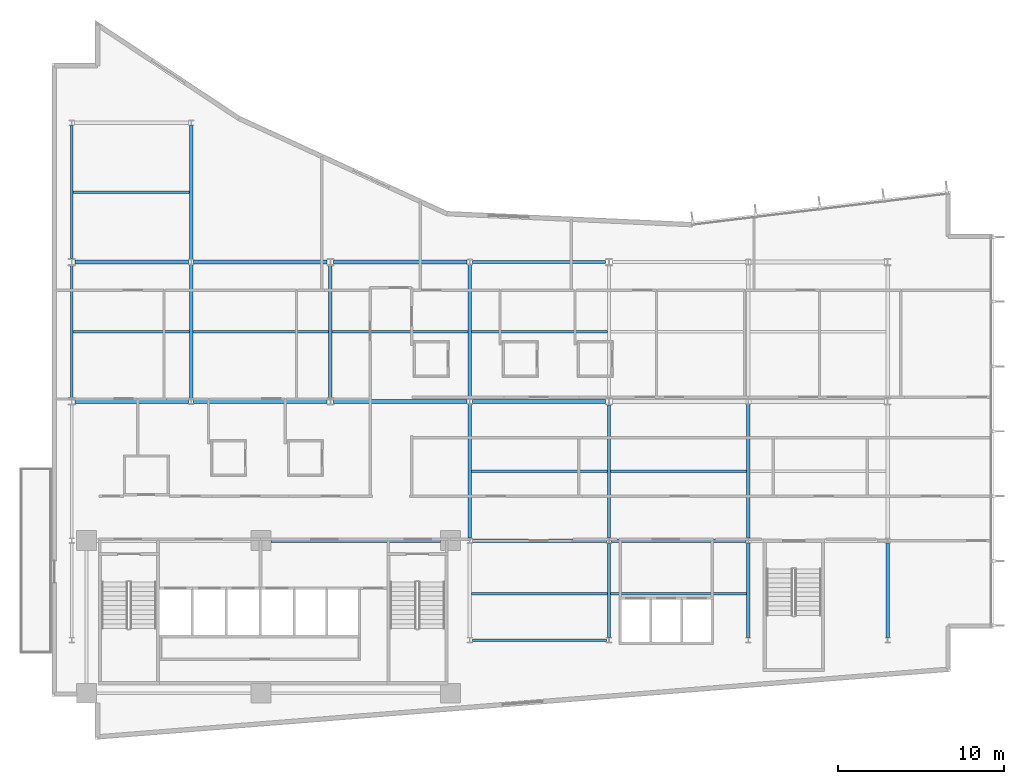
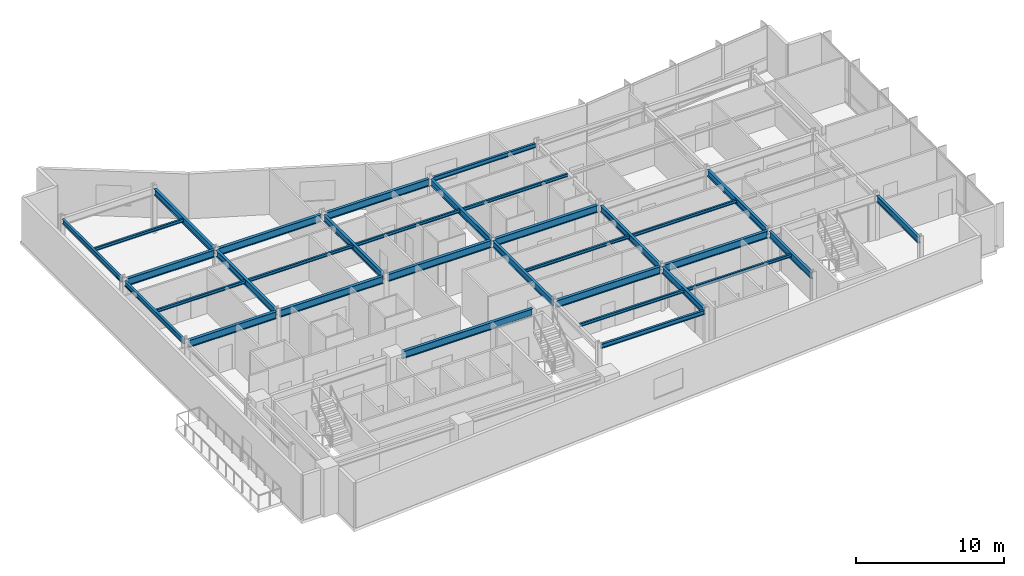
# One storey, part 4 of 18: 33 beams.
"""IFC4 building model written with IfcOpenShell, lengths in metres."""

import ifcopenshell
import ifcopenshell.guid

model = None  # the IFC model being written
_history = None  # IfcOwnerHistory: only IFC2X3 demands one
_inside = {}  # id of a spatial element -> (the spatial element, [elements in it])
_under = {}  # id of a project, library or spatial element -> (it, [spatial elements below it])
_declared = {}  # id of a project -> (the project, [libraries it declares])
_typed = {}  # id of a type object -> (the type object, [elements of that type])
_made_of = {}  # id of a material, layer set ... -> (it, [elements and type objects made of it])


def new_model(schema):
    """Start an empty IFC model of exactly this schema.

    Asked for "IFC4X3", IfcOpenShell would pick the latest addendum, in which some entities
    have other attributes; the version numbers below select the first issue.
    IFC2X3 requires an IfcOwnerHistory on every rooted entity: one is made here for all.
    """
    global model, _history
    if schema == "IFC4X3":
        model = ifcopenshell.file(schema_version=(4, 3, 0, 0))
    else:
        model = ifcopenshell.file(schema=schema)
    _inside.clear()
    _under.clear()
    _declared.clear()
    _typed.clear()
    _made_of.clear()
    _history = None
    if model.schema == "IFC2X3":
        org = make("IfcOrganization", Name="unknown")
        user = make(
            "IfcPersonAndOrganization",
            ThePerson=make("IfcPerson", FamilyName="unknown"),
            TheOrganization=org,
        )
        app = make(
            "IfcApplication",
            ApplicationDeveloper=org,
            Version="unknown",
            ApplicationFullName="unknown",
            ApplicationIdentifier="unknown",
        )
        _history = make(
            "IfcOwnerHistory",
            OwningUser=user,
            OwningApplication=app,
            ChangeAction="ADDED",
            CreationDate=0,
        )
    return model


def make(cls, **values):
    """One entity of the class cls with the attributes given. An attribute that is None is left unset."""
    return model.create_entity(
        cls, **{name: value for name, value in values.items() if value is not None}
    )


def rooted(cls, **values):
    """An entity with a GlobalId (a new one), such as an element, a storey or a relation."""
    return make(cls, GlobalId=ifcopenshell.guid.new(), OwnerHistory=_history, **values)


def si_unit(unit_type, name, prefix=None):
    """IfcSIUnit, for example si_unit("LENGTHUNIT", "METRE", prefix="MILLI")."""
    return make("IfcSIUnit", UnitType=unit_type, Prefix=prefix, Name=name)


def assignment(units):
    """IfcUnitAssignment: the units of a project."""
    return None if units is None else make("IfcUnitAssignment", Units=units)


def point(xyz):
    """IfcCartesianPoint."""
    return None if xyz is None else make("IfcCartesianPoint", Coordinates=xyz)


def direction(xyz):
    """IfcDirection."""
    return None if xyz is None else make("IfcDirection", DirectionRatios=xyz)


def frame(location, z_axis=None, x_axis=None):
    """IfcAxis2Placement3D, a coordinate frame: its origin and axes. An axis left out is left unset."""
    return make(
        "IfcAxis2Placement3D",
        Location=point(location),
        Axis=direction(z_axis),
        RefDirection=direction(x_axis),
    )


def frame_2d(location, x_axis=None):
    """IfcAxis2Placement2D, a coordinate frame in the plane: its origin and x axis."""
    return make(
        "IfcAxis2Placement2D", Location=point(location), RefDirection=direction(x_axis)
    )


def origin():
    """The frame at (0, 0, 0) with its axes left unset."""
    return frame((0.0, 0.0, 0.0))


def origin_2d():
    """The frame at (0, 0) in the plane with its x axis left unset."""
    return frame_2d((0.0, 0.0))


def place(relative_to, where):
    """IfcLocalPlacement: puts the frame where relative to a parent placement (None: the world)."""
    return make(
        "IfcLocalPlacement", PlacementRelTo=relative_to, RelativePlacement=where
    )


def context(
    kind, dimensions, precision=None, world=None, true_north=None, identifier=None
):
    """IfcGeometricRepresentationContext, for example the 3D "Model" context."""
    return make(
        "IfcGeometricRepresentationContext",
        ContextIdentifier=identifier,
        ContextType=kind,
        CoordinateSpaceDimension=dimensions,
        Precision=precision,
        WorldCoordinateSystem=world,
        TrueNorth=true_north,
    )


def subcontext(parent, identifier, kind, view, scale=None):
    """IfcGeometricRepresentationSubContext, for example "Body" below "Model"."""
    return make(
        "IfcGeometricRepresentationSubContext",
        ContextIdentifier=identifier,
        ContextType=kind,
        ParentContext=parent,
        TargetScale=scale,
        TargetView=view,
    )


def project(units=None, contexts=None):
    """IfcProject with its units and contexts."""
    return rooted(
        "IfcProject",
        Name="project",
        RepresentationContexts=contexts,
        UnitsInContext=assignment(units),
    )


def spatial(cls, under=None, at=None, **own):
    """A site, building, storey or space (cls), placed at a placement, below another one or the project."""
    s = rooted(cls, ObjectPlacement=at, **own)
    if under is not None:
        _under.setdefault(under.id(), (under, []))[1].append(s)
    return s


def profile(cls, at=None, kind="AREA", **sizes):
    """A parametric profile (cls). Its sizes go by their IFC names, for example OverallWidth=200.0."""
    return make(cls, ProfileType=kind, Position=at, **sizes)


def i_section(**sizes):
    """IfcIShapeProfileDef."""
    return profile("IfcIShapeProfileDef", **sizes)


def extrude(swept, where, along, depth):
    """IfcExtrudedAreaSolid: the profile swept, set in the frame where, extruded along a direction by depth."""
    return make(
        "IfcExtrudedAreaSolid",
        SweptArea=swept,
        Position=where,
        ExtrudedDirection=direction(along),
        Depth=depth,
    )


def shape(context_of_items, identifier, shape_type, items):
    """IfcShapeRepresentation: the items that make up one representation, for example the "Body"."""
    return make(
        "IfcShapeRepresentation",
        ContextOfItems=context_of_items,
        RepresentationIdentifier=identifier,
        RepresentationType=shape_type,
        Items=items,
    )


def material(Name=None, Category=None):
    """IfcMaterial."""
    return make("IfcMaterial", Name=Name, Category=Category)


def material_profile(
    of_material, cross_section, Name=None, Category=None, Priority=None
):
    """IfcMaterialProfile: a cross section and its material."""
    return make(
        "IfcMaterialProfile",
        Name=Name,
        Material=of_material,
        Profile=cross_section,
        Priority=Priority,
        Category=Category,
    )


def profile_set(profiles, Name=None, composite=None):
    """IfcMaterialProfileSet."""
    return make(
        "IfcMaterialProfileSet",
        Name=Name,
        MaterialProfiles=profiles,
        CompositeProfile=composite,
    )


def made_of(thing, what):
    """Note that an element or type object is made of a material, layer set ...; save() writes the relation."""
    if what is not None:
        _made_of.setdefault(what.id(), (what, []))[1].append(thing)
    return thing


def type_object(cls, material=None, **own):
    """A type object (cls), such as IfcWallType, which elements share."""
    return made_of(rooted(cls, **own), material)


def element(
    cls,
    number,
    at=None,
    inside=None,
    cuts=None,
    type_object=None,
    material=None,
    context=None,
    identifier="Body",
    shape_type=None,
    held_by="IfcProductDefinitionShape",
    body=None,
    shapes=None,
    **own,
):
    """One element of the class cls, such as IfcWall. Its Tag is "e" and its number.

    at: its placement. inside: the storey or other place that contains it. cuts: it is an
    opening in that element (IfcRelVoidsElement). A single representation is given by context,
    identifier, shape_type and body (its items); several are given by shapes. held_by: the class
    of the entity that holds the representations. save() writes the other relations.
    """
    e = rooted(cls, Tag="e%d" % number, ObjectPlacement=at, **own)
    if body is not None:
        shapes = [shape(context, identifier, shape_type, body)]
    if shapes is not None:
        e.Representation = make(held_by, Representations=shapes)
    if inside is not None:
        _inside.setdefault(inside.id(), (inside, []))[1].append(e)
    if cuts is not None:
        rooted(
            "IfcRelVoidsElement", RelatingBuildingElement=cuts, RelatedOpeningElement=e
        )
    if type_object is not None:
        _typed.setdefault(type_object.id(), (type_object, []))[1].append(e)
    return made_of(e, material)


def aggregate(whole, parts):
    """IfcRelAggregates: a whole, such as a stair, and the parts it consists of."""
    return rooted("IfcRelAggregates", RelatingObject=whole, RelatedObjects=parts)


def save(model, path):
    """Write the relations noted so far, then the file.

    IfcRelAggregates (storeys below a building ...), IfcRelContainedInSpatialStructure (elements
    in a storey), IfcRelDefinesByType, IfcRelAssociatesMaterial and IfcRelDeclares: one each for
    every whole, place, type object, material and project.
    """
    for whole, parts in _under.values():
        aggregate(whole, parts)
    for where, things in _inside.values():
        rooted(
            "IfcRelContainedInSpatialStructure",
            RelatedElements=things,
            RelatingStructure=where,
        )
    for kind, things in _typed.values():
        rooted("IfcRelDefinesByType", RelatedObjects=things, RelatingType=kind)
    for what, things in _made_of.values():
        rooted("IfcRelAssociatesMaterial", RelatedObjects=things, RelatingMaterial=what)
    for by, libraries in _declared.values():
        rooted("IfcRelDeclares", RelatingContext=by, RelatedDefinitions=libraries)
    model.write(path)


model = new_model("IFC4")

# Units and contexts
model_context = context("Model", 3, precision=1e-05, world=origin(), true_north=direction((0.0, 1.0)))
body_context = subcontext(model_context, "Body", "Model", "MODEL_VIEW")
ifc_project = project(units=[si_unit("LENGTHUNIT", "METRE"), si_unit("AREAUNIT", "SQUARE_METRE"), si_unit("VOLUMEUNIT", "CUBIC_METRE"), si_unit("PLANEANGLEUNIT", "RADIAN"), si_unit("MASSUNIT", "GRAM", prefix="KILO")], contexts=[model_context])

# Site, building, storey
site_placement = place(None, origin())
site = spatial("IfcSite", under=ifc_project, at=site_placement, CompositionType="ELEMENT")
building_placement = place(site_placement, origin())
building = spatial("IfcBuilding", under=site, at=building_placement, Name="Varnakote Quay Hospital", CompositionType="ELEMENT")
storey_placement = place(building_placement, frame((0.0, 0.0, 158.64990234375)))
storey = spatial("IfcBuildingStorey", under=building, at=storey_placement, Name="L39", CompositionType="ELEMENT", Elevation=158.64990234375)

# Beams
ifc_material_1 = material(Name="Structural steel AS/NZS 3679.1 Grade 350 L0 (fy 340 MPa)", Category="steel")
ifc_material_profile_1 = material_profile(ifc_material_1, i_section(OverallWidth=0.208984375, OverallDepth=0.532958984375, WebThickness=0.01025390625, FlangeThickness=0.015625, FilletRadius=0.013916015625, at=origin_2d()), Name="530UB92.4")
ifc_profile_set_1 = profile_set([ifc_material_profile_1], Name="Structural steel AS/NZS 3679.1 Grade 350 L0 (fy 340 MPa)")
beam_type_1 = type_object("IfcBeamType", Name="BM-STL-530UB92-4", PredefinedType="BEAM", material=ifc_profile_set_1)
for number, where, z_axis, x_axis, name in (
    (1, (8.39990234375, 20.5576171875, 3.443603515625), (0.0, 1.0, 0.0), (-1.0, 0.0, 0.0), "L39 Primary Tie Beam"),
    (2, (8.39990234375, 28.95751953125, 3.443603515625), (0.0, 1.0, 0.0), (-1.0, 0.0, 0.0), "L39 Primary Tie Beam"),
):
    element("IfcBeam", number, at=place(storey_placement, frame(where, z_axis=z_axis, x_axis=x_axis)), inside=storey, type_object=beam_type_1, Name=name, PredefinedType="BEAM", context=body_context, shape_type="SweptSolid", body=[
        extrude(i_section(OverallWidth=0.208984375, OverallDepth=0.532958984375, WebThickness=0.01025390625, FlangeThickness=0.015625, FilletRadius=0.013916015625, at=origin_2d()), origin(), (0.0, 0.0, 1.0), 8.0849609375),
    ])
beam_1_placement = place(storey_placement, frame((16.800048828125, 20.610107421875, 3.443603515625), z_axis=(0.0, 1.0, 0.0), x_axis=(-1.0, 0.0, 0.0)))
element("IfcBeam", 3, at=beam_1_placement, inside=storey, type_object=beam_type_1, Name="L39 Primary Tie Beam", PredefinedType="BEAM", context=body_context, shape_type="SweptSolid", body=[
    extrude(i_section(OverallWidth=0.208984375, OverallDepth=0.532958984375, WebThickness=0.01025390625, FlangeThickness=0.015625, FilletRadius=0.013916015625, at=origin_2d()), origin(), (0.0, 0.0, 1.0), 7.97998046875),
])
for number, where, z_axis, x_axis, name in (
    (4, (25.199951171875, 12.157470703125, 3.443603515625), (0.0, 1.0, 0.0), (-1.0, 0.0, 0.0), "L39 Primary Tie Beam"),
    (5, (25.199951171875, 20.5576171875, 3.443603515625), (0.0, 1.0, 0.0), (-1.0, 0.0, 0.0), "L39 Primary Tie Beam"),
):
    element("IfcBeam", number, at=place(storey_placement, frame(where, z_axis=z_axis, x_axis=x_axis)), inside=storey, type_object=beam_type_1, Name=name, PredefinedType="BEAM", context=body_context, shape_type="SweptSolid", body=[
        extrude(i_section(OverallWidth=0.208984375, OverallDepth=0.532958984375, WebThickness=0.01025390625, FlangeThickness=0.015625, FilletRadius=0.013916015625, at=origin_2d()), origin(), (0.0, 0.0, 1.0), 8.0849609375),
    ])
beam_2_placement = place(storey_placement, frame((33.60009765625, 6.157470703125, 3.443603515625), z_axis=(0.0, 1.0, 0.0), x_axis=(-1.0, 0.0, 0.0)))
element("IfcBeam", 6, at=beam_2_placement, inside=storey, type_object=beam_type_1, Name="L39 Primary Tie Beam", PredefinedType="BEAM", context=body_context, shape_type="SweptSolid", body=[
    extrude(i_section(OverallWidth=0.208984375, OverallDepth=0.532958984375, WebThickness=0.01025390625, FlangeThickness=0.015625, FilletRadius=0.013916015625, at=origin_2d()), origin(), (0.0, 0.0, 1.0), 5.68505859375),
])
beam_3_placement = place(storey_placement, frame((33.60009765625, 12.157470703125, 3.443603515625), z_axis=(0.0, 1.0, 0.0), x_axis=(-1.0, 0.0, 0.0)))
element("IfcBeam", 7, at=beam_3_placement, inside=storey, type_object=beam_type_1, Name="L39 Primary Tie Beam", PredefinedType="BEAM", context=body_context, shape_type="SweptSolid", body=[
    extrude(i_section(OverallWidth=0.208984375, OverallDepth=0.532958984375, WebThickness=0.01025390625, FlangeThickness=0.015625, FilletRadius=0.013916015625, at=origin_2d()), origin(), (0.0, 0.0, 1.0), 8.032470703125),
])
beam_4_placement = place(storey_placement, frame((42.0, 6.157470703125, 3.443603515625), z_axis=(0.0, 1.0, 0.0), x_axis=(-1.0, 0.0, 0.0)))
element("IfcBeam", 8, at=beam_4_placement, inside=storey, type_object=beam_type_1, Name="L39 Primary Tie Beam", PredefinedType="BEAM", context=body_context, shape_type="SweptSolid", body=[
    extrude(i_section(OverallWidth=0.208984375, OverallDepth=0.532958984375, WebThickness=0.01025390625, FlangeThickness=0.015625, FilletRadius=0.013916015625, at=origin_2d()), origin(), (0.0, 0.0, 1.0), 5.68505859375),
])
beam_5_placement = place(storey_placement, frame((42.0, 12.157470703125, 3.443603515625), z_axis=(0.0, 1.0, 0.0), x_axis=(-1.0, 0.0, 0.0)))
element("IfcBeam", 9, at=beam_5_placement, inside=storey, type_object=beam_type_1, Name="L39 Primary Tie Beam", PredefinedType="BEAM", context=body_context, shape_type="SweptSolid", body=[
    extrude(i_section(OverallWidth=0.208984375, OverallDepth=0.532958984375, WebThickness=0.01025390625, FlangeThickness=0.015625, FilletRadius=0.013916015625, at=origin_2d()), origin(), (0.0, 0.0, 1.0), 8.0849609375),
])
beam_6_placement = place(storey_placement, frame((50.39990234375, 6.157470703125, 3.443603515625), z_axis=(0.0, 1.0, 0.0), x_axis=(-1.0, 0.0, 0.0)))
element("IfcBeam", 10, at=beam_6_placement, inside=storey, type_object=beam_type_1, Name="L39 Primary Tie Beam", PredefinedType="BEAM", context=body_context, shape_type="SweptSolid", body=[
    extrude(i_section(OverallWidth=0.208984375, OverallDepth=0.532958984375, WebThickness=0.01025390625, FlangeThickness=0.015625, FilletRadius=0.013916015625, at=origin_2d()), origin(), (0.0, 0.0, 1.0), 5.68505859375),
])
ifc_material_2 = material(Name="Structural steel AS/NZS 3679.1 Grade 350 L0 (fy 340 MPa)", Category="steel")
ifc_material_profile_2 = material_profile(ifc_material_2, i_section(OverallWidth=0.22802734375, OverallDepth=0.60205078125, WebThickness=0.010498046875, FlangeThickness=0.014892578125, FilletRadius=0.013916015625, at=origin_2d()), Name="610UB101")
ifc_profile_set_2 = profile_set([ifc_material_profile_2], Name="Structural steel AS/NZS 3679.1 Grade 350 L0 (fy 340 MPa)")
beam_type_2 = type_object("IfcBeamType", Name="BM-STL-610UB101", PredefinedType="BEAM", material=ifc_profile_set_2)
beam_7_placement = place(storey_placement, frame((13.219970703125, 12.0, 3.4091796875), z_axis=(1.0, 0.0, 0.0), x_axis=(0.0, 1.0, 0.0)))
element("IfcBeam", 11, at=beam_7_placement, inside=storey, type_object=beam_type_2, Name="L39 Primary Floor Beam", PredefinedType="BEAM", context=body_context, shape_type="SweptSolid", body=[
    extrude(i_section(OverallWidth=0.22802734375, OverallDepth=0.60205078125, WebThickness=0.010498046875, FlangeThickness=0.014892578125, FilletRadius=0.013916015625, at=origin_2d()), origin(), (0.0, 0.0, 1.0), 10.22998046875),
])
for number, where, z_axis, x_axis, name in (
    (12, (25.353515625, 12.0, 3.4091796875), (1.0, 0.0, 0.0), (0.0, 1.0, 0.0), "L39 Primary Floor Beam"),
    (13, (33.75341796875, 12.0, 3.4091796875), (1.0, 0.0, 0.0), (0.0, 1.0, 0.0), "L39 Primary Floor Beam"),
):
    element("IfcBeam", number, at=place(storey_placement, frame(where, z_axis=z_axis, x_axis=x_axis)), inside=storey, type_object=beam_type_2, Name=name, PredefinedType="BEAM", context=body_context, shape_type="SweptSolid", body=[
        extrude(i_section(OverallWidth=0.22802734375, OverallDepth=0.60205078125, WebThickness=0.010498046875, FlangeThickness=0.014892578125, FilletRadius=0.013916015625, at=origin_2d()), origin(), (0.0, 0.0, 1.0), 8.093017578125),
    ])
beam_8_placement = place(storey_placement, frame((1.39990234375, 20.39990234375, 3.4091796875), z_axis=(1.0, 0.0, 0.0), x_axis=(0.0, 1.0, 0.0)))
element("IfcBeam", 14, at=beam_8_placement, inside=storey, type_object=beam_type_2, Name="L39 Primary Floor Beam", PredefinedType="BEAM", context=body_context, shape_type="SweptSolid", body=[
    extrude(i_section(OverallWidth=0.22802734375, OverallDepth=0.60205078125, WebThickness=0.010498046875, FlangeThickness=0.014892578125, FilletRadius=0.013916015625, at=origin_2d()), origin(), (0.0, 0.0, 1.0), 6.8466796875),
])
beam_9_placement = place(storey_placement, frame((8.553466796875, 20.39990234375, 3.4091796875), z_axis=(1.0, 0.0, 0.0), x_axis=(0.0, 1.0, 0.0)))
element("IfcBeam", 15, at=beam_9_placement, inside=storey, type_object=beam_type_2, Name="L39 Primary Floor Beam", PredefinedType="BEAM", context=body_context, shape_type="SweptSolid", body=[
    extrude(i_section(OverallWidth=0.22802734375, OverallDepth=0.60205078125, WebThickness=0.010498046875, FlangeThickness=0.014892578125, FilletRadius=0.013916015625, at=origin_2d()), origin(), (0.0, 0.0, 1.0), 8.046630859375),
])
for number, where, z_axis, x_axis, name in (
    (16, (17.0, 20.39990234375, 3.4091796875), (1.0, 0.0, 0.0), (0.0, 1.0, 0.0), "L39 Primary Floor Beam"),
    (17, (25.353515625, 20.39990234375, 3.4091796875), (1.0, 0.0, 0.0), (0.0, 1.0, 0.0), "L39 Primary Floor Beam"),
):
    element("IfcBeam", number, at=place(storey_placement, frame(where, z_axis=z_axis, x_axis=x_axis)), inside=storey, type_object=beam_type_2, Name=name, PredefinedType="BEAM", context=body_context, shape_type="SweptSolid", body=[
        extrude(i_section(OverallWidth=0.22802734375, OverallDepth=0.60205078125, WebThickness=0.010498046875, FlangeThickness=0.014892578125, FilletRadius=0.013916015625, at=origin_2d()), origin(), (0.0, 0.0, 1.0), 8.04638671875),
    ])
beam_10_placement = place(storey_placement, frame((1.39990234375, 28.800048828125, 3.4091796875), z_axis=(1.0, 0.0, 0.0), x_axis=(0.0, 1.0, 0.0)))
element("IfcBeam", 18, at=beam_10_placement, inside=storey, type_object=beam_type_2, Name="L39 Primary Floor Beam", PredefinedType="BEAM", context=body_context, shape_type="SweptSolid", body=[
    extrude(i_section(OverallWidth=0.22802734375, OverallDepth=0.60205078125, WebThickness=0.010498046875, FlangeThickness=0.014892578125, FilletRadius=0.013916015625, at=origin_2d()), origin(), (0.0, 0.0, 1.0), 6.8466796875),
])
beam_11_placement = place(storey_placement, frame((8.553466796875, 28.800048828125, 3.4091796875), z_axis=(1.0, 0.0, 0.0), x_axis=(0.0, 1.0, 0.0)))
element("IfcBeam", 19, at=beam_11_placement, inside=storey, type_object=beam_type_2, Name="L39 Primary Floor Beam", PredefinedType="BEAM", context=body_context, shape_type="SweptSolid", body=[
    extrude(i_section(OverallWidth=0.22802734375, OverallDepth=0.60205078125, WebThickness=0.010498046875, FlangeThickness=0.014892578125, FilletRadius=0.013916015625, at=origin_2d()), origin(), (0.0, 0.0, 1.0), 8.046630859375),
])
beam_12_placement = place(storey_placement, frame((17.0, 28.800048828125, 3.4091796875), z_axis=(1.0, 0.0, 0.0), x_axis=(0.0, 1.0, 0.0)))
element("IfcBeam", 20, at=beam_12_placement, inside=storey, type_object=beam_type_2, Name="L39 Primary Floor Beam", PredefinedType="BEAM", context=body_context, shape_type="SweptSolid", body=[
    extrude(i_section(OverallWidth=0.22802734375, OverallDepth=0.60205078125, WebThickness=0.010498046875, FlangeThickness=0.014892578125, FilletRadius=0.013916015625, at=origin_2d()), origin(), (0.0, 0.0, 1.0), 8.04638671875),
])
ifc_material_3 = material(Name="Structural steel AS/NZS 3679.1 Grade 350 L0 (fy 340 MPa)", Category="steel")
ifc_material_profile_3 = material_profile(ifc_material_3, i_section(OverallWidth=0.14599609375, OverallDepth=0.256103515625, WebThickness=0.00634765625, FlangeThickness=0.010986328125, FilletRadius=0.0087890625, at=origin_2d()), Name="250UB37.3")
ifc_profile_set_3 = profile_set([ifc_material_profile_3], Name="Structural steel AS/NZS 3679.1 Grade 350 L0 (fy 340 MPa)")
beam_type_3 = type_object("IfcBeamType", Name="JST-STL-250UB37-3", PredefinedType="JOIST", material=ifc_profile_set_3)
beam_13_placement = place(storey_placement, frame((25.304443359375, 8.800048828125, 3.58203125), z_axis=(1.0, 0.0, 0.0), x_axis=(0.0, 1.0, 0.0)))
element("IfcBeam", 21, at=beam_13_placement, inside=storey, type_object=beam_type_3, Name="L39 Composite Floor Joist", PredefinedType="JOIST", context=body_context, shape_type="SweptSolid", body=[
    extrude(i_section(OverallWidth=0.14599609375, OverallDepth=0.256103515625, WebThickness=0.00634765625, FlangeThickness=0.010986328125, FilletRadius=0.0087890625, at=origin_2d()), origin(), (0.0, 0.0, 1.0), 8.191162109375),
])
beam_14_placement = place(storey_placement, frame((33.70458984375, 8.800048828125, 3.58203125), z_axis=(1.0, 0.0, 0.0), x_axis=(0.0, 1.0, 0.0)))
element("IfcBeam", 22, at=beam_14_placement, inside=storey, type_object=beam_type_3, Name="L39 Composite Floor Joist", PredefinedType="JOIST", context=body_context, shape_type="SweptSolid", body=[
    extrude(i_section(OverallWidth=0.14599609375, OverallDepth=0.256103515625, WebThickness=0.00634765625, FlangeThickness=0.010986328125, FilletRadius=0.0087890625, at=origin_2d()), origin(), (0.0, 0.0, 1.0), 8.19091796875),
])
beam_15_placement = place(storey_placement, frame((25.304443359375, 16.199951171875, 3.58203125), z_axis=(1.0, 0.0, 0.0), x_axis=(0.0, 1.0, 0.0)))
element("IfcBeam", 23, at=beam_15_placement, inside=storey, type_object=beam_type_3, Name="L39 Composite Floor Joist", PredefinedType="JOIST", context=body_context, shape_type="SweptSolid", body=[
    extrude(i_section(OverallWidth=0.14599609375, OverallDepth=0.256103515625, WebThickness=0.00634765625, FlangeThickness=0.010986328125, FilletRadius=0.0087890625, at=origin_2d()), origin(), (0.0, 0.0, 1.0), 8.191162109375),
])
beam_16_placement = place(storey_placement, frame((33.70458984375, 16.199951171875, 3.58203125), z_axis=(1.0, 0.0, 0.0), x_axis=(0.0, 1.0, 0.0)))
element("IfcBeam", 24, at=beam_16_placement, inside=storey, type_object=beam_type_3, Name="L39 Composite Floor Joist", PredefinedType="JOIST", context=body_context, shape_type="SweptSolid", body=[
    extrude(i_section(OverallWidth=0.14599609375, OverallDepth=0.256103515625, WebThickness=0.00634765625, FlangeThickness=0.010986328125, FilletRadius=0.0087890625, at=origin_2d()), origin(), (0.0, 0.0, 1.0), 8.19091796875),
])
beam_17_placement = place(storey_placement, frame((1.2890625, 24.60009765625, 3.58203125), z_axis=(1.0, 0.0, 0.0), x_axis=(0.0, 1.0, 0.0)))
element("IfcBeam", 25, at=beam_17_placement, inside=storey, type_object=beam_type_3, Name="L39 Composite Floor Joist", PredefinedType="JOIST", context=body_context, shape_type="SweptSolid", body=[
    extrude(i_section(OverallWidth=0.14599609375, OverallDepth=0.256103515625, WebThickness=0.00634765625, FlangeThickness=0.010986328125, FilletRadius=0.0087890625, at=origin_2d()), origin(), (0.0, 0.0, 1.0), 7.00634765625),
])
beam_18_placement = place(storey_placement, frame((8.50439453125, 24.60009765625, 3.58203125), z_axis=(1.0, 0.0, 0.0), x_axis=(0.0, 1.0, 0.0)))
element("IfcBeam", 26, at=beam_18_placement, inside=storey, type_object=beam_type_3, Name="L39 Composite Floor Joist", PredefinedType="JOIST", context=body_context, shape_type="SweptSolid", body=[
    extrude(i_section(OverallWidth=0.14599609375, OverallDepth=0.256103515625, WebThickness=0.00634765625, FlangeThickness=0.010986328125, FilletRadius=0.0087890625, at=origin_2d()), origin(), (0.0, 0.0, 1.0), 8.191162109375),
])
beam_19_placement = place(storey_placement, frame((16.904541015625, 24.60009765625, 3.58203125), z_axis=(1.0, 0.0, 0.0), x_axis=(0.0, 1.0, 0.0)))
element("IfcBeam", 27, at=beam_19_placement, inside=storey, type_object=beam_type_3, Name="L39 Composite Floor Joist", PredefinedType="JOIST", context=body_context, shape_type="SweptSolid", body=[
    extrude(i_section(OverallWidth=0.14599609375, OverallDepth=0.256103515625, WebThickness=0.00634765625, FlangeThickness=0.010986328125, FilletRadius=0.0087890625, at=origin_2d()), origin(), (0.0, 0.0, 1.0), 8.19091796875),
])
beam_20_placement = place(storey_placement, frame((25.304443359375, 24.60009765625, 3.58203125), z_axis=(1.0, 0.0, 0.0), x_axis=(0.0, 1.0, 0.0)))
element("IfcBeam", 28, at=beam_20_placement, inside=storey, type_object=beam_type_3, Name="L39 Composite Floor Joist", PredefinedType="JOIST", context=body_context, shape_type="SweptSolid", body=[
    extrude(i_section(OverallWidth=0.14599609375, OverallDepth=0.256103515625, WebThickness=0.00634765625, FlangeThickness=0.010986328125, FilletRadius=0.0087890625, at=origin_2d()), origin(), (0.0, 0.0, 1.0), 8.191162109375),
])
beam_21_placement = place(storey_placement, frame((1.2890625, 33.0, 3.58203125), z_axis=(1.0, 0.0, 0.0), x_axis=(0.0, 1.0, 0.0)))
element("IfcBeam", 29, at=beam_21_placement, inside=storey, type_object=beam_type_3, Name="L39 Composite Floor Joist", PredefinedType="JOIST", context=body_context, shape_type="SweptSolid", body=[
    extrude(i_section(OverallWidth=0.14599609375, OverallDepth=0.256103515625, WebThickness=0.00634765625, FlangeThickness=0.010986328125, FilletRadius=0.0087890625, at=origin_2d()), origin(), (0.0, 0.0, 1.0), 7.00634765625),
])
ifc_material_4 = material(Name="Structural steel AS/NZS 3679.1 Grade 350 L0 (fy 340 MPa)", Category="steel")
ifc_material_profile_4 = material_profile(ifc_material_4, i_section(OverallWidth=0.172119140625, OverallDepth=0.35888671875, WebThickness=0.008056640625, FlangeThickness=0.012939453125, FilletRadius=0.011474609375, at=origin_2d()), Name="360UB56.7")
ifc_profile_set_4 = profile_set([ifc_material_profile_4], Name="Structural steel AS/NZS 3679.1 Grade 350 L0 (fy 340 MPa)")
beam_type_4 = type_object("IfcBeamType", Name="SPN-STL-360UB56-7", PredefinedType="SPANDREL", material=ifc_profile_set_4)
beam_22_placement = place(storey_placement, frame((25.353515625, 6.0, 3.530517578125), z_axis=(1.0, 0.0, 0.0), x_axis=(0.0, 1.0, 0.0)))
element("IfcBeam", 30, at=beam_22_placement, inside=storey, type_object=beam_type_4, Name="L39 Perimeter Spandrel Beam", PredefinedType="SPANDREL", context=body_context, shape_type="SweptSolid", body=[
    extrude(i_section(OverallWidth=0.172119140625, OverallDepth=0.35888671875, WebThickness=0.008056640625, FlangeThickness=0.012939453125, FilletRadius=0.011474609375, at=origin_2d()), origin(), (0.0, 0.0, 1.0), 8.093017578125),
])
beam_23_placement = place(storey_placement, frame((25.353515625, 28.800048828125, 3.530517578125), z_axis=(1.0, 0.0, 0.0), x_axis=(0.0, 1.0, 0.0)))
element("IfcBeam", 31, at=beam_23_placement, inside=storey, type_object=beam_type_4, Name="L39 Perimeter Spandrel Beam", PredefinedType="SPANDREL", context=body_context, shape_type="SweptSolid", body=[
    extrude(i_section(OverallWidth=0.172119140625, OverallDepth=0.35888671875, WebThickness=0.008056640625, FlangeThickness=0.012939453125, FilletRadius=0.011474609375, at=origin_2d()), origin(), (0.0, 0.0, 1.0), 8.04638671875),
])
ifc_material_5 = material(Name="Structural steel AS/NZS 3679.1 Grade 350 L0 (fy 340 MPa)", Category="steel")
ifc_material_profile_5 = material_profile(ifc_material_5, i_section(OverallWidth=0.177978515625, OverallDepth=0.403076171875, WebThickness=0.007568359375, FlangeThickness=0.010986328125, FilletRadius=0.011474609375, at=origin_2d()), Name="410UB53.7")
ifc_profile_set_5 = profile_set([ifc_material_profile_5], Name="Structural steel AS/NZS 3679.1 Grade 350 L0 (fy 340 MPa)")
beam_type_5 = type_object("IfcBeamType", Name="SPN-STL-410UB53-7", PredefinedType="SPANDREL", material=ifc_profile_set_5)
beam_24_placement = place(storey_placement, frame((1.199951171875, 20.610107421875, 3.508544921875), z_axis=(0.0, 1.0, 0.0), x_axis=(-1.0, 0.0, 0.0)))
element("IfcBeam", 32, at=beam_24_placement, inside=storey, type_object=beam_type_5, Name="L39 Perimeter Spandrel Beam", PredefinedType="SPANDREL", context=body_context, shape_type="SweptSolid", body=[
    extrude(i_section(OverallWidth=0.177978515625, OverallDepth=0.403076171875, WebThickness=0.007568359375, FlangeThickness=0.010986328125, FilletRadius=0.011474609375, at=origin_2d()), origin(), (0.0, 0.0, 1.0), 7.97998046875),
])
beam_25_placement = place(storey_placement, frame((1.199951171875, 29.010009765625, 3.508544921875), z_axis=(0.0, 1.0, 0.0), x_axis=(-1.0, 0.0, 0.0)))
element("IfcBeam", 33, at=beam_25_placement, inside=storey, type_object=beam_type_5, Name="L39 Perimeter Spandrel Beam", PredefinedType="SPANDREL", context=body_context, shape_type="SweptSolid", body=[
    extrude(i_section(OverallWidth=0.177978515625, OverallDepth=0.403076171875, WebThickness=0.007568359375, FlangeThickness=0.010986328125, FilletRadius=0.011474609375, at=origin_2d()), origin(), (0.0, 0.0, 1.0), 8.032470703125),
])

save(model, "model.ifc")
